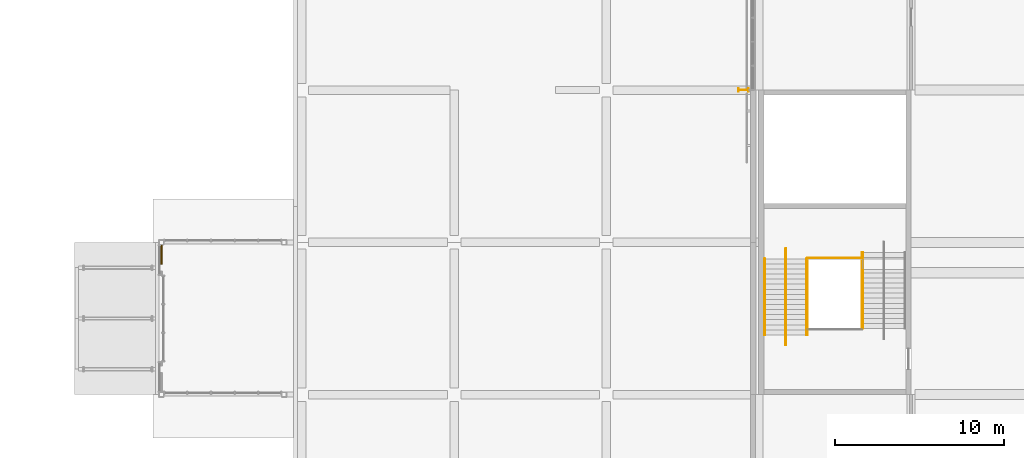
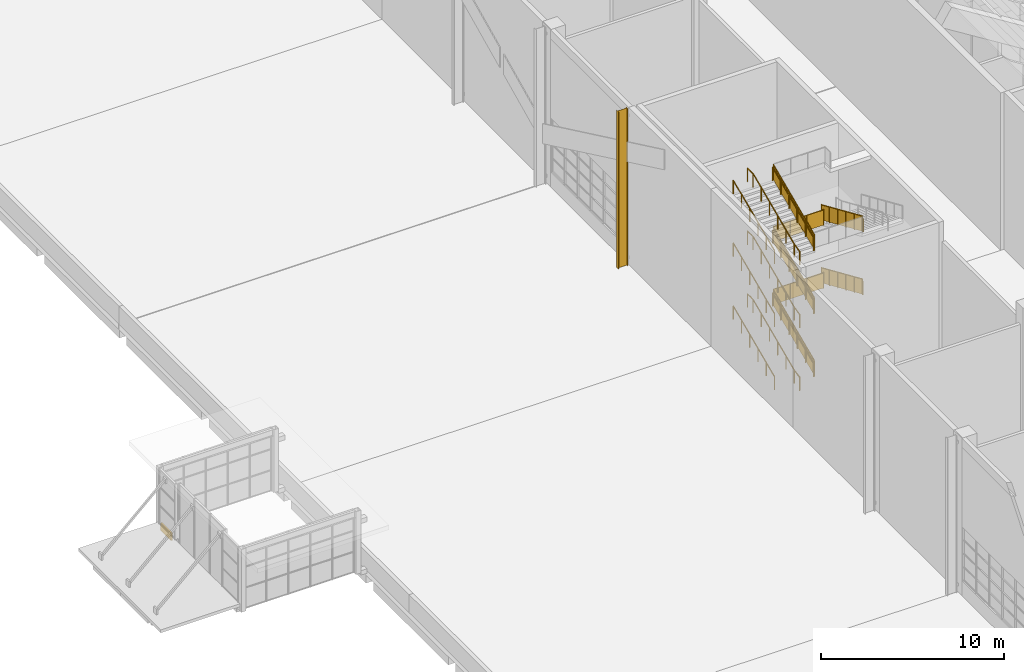
# One storey, part 147 of 182: 18 railings, 1 covering, 1 shading device.
"""IFC4 building model written with IfcOpenShell, lengths in metres."""

from ifc_helpers import new_model, si_unit, direction, frame, origin, origin_2d, place, context, subcontext, project, spatial, polyline, circle, i_section, outline, extrude, material, layer, layer_set, material_profile, profile_set, type_object, element, save


model = new_model("IFC4")

# Units and contexts
model_context = context("Model", 3, precision=1e-05, world=origin(), true_north=direction((0.0, 1.0)))
body_context = subcontext(model_context, "Body", "Model", "MODEL_VIEW")
ifc_project = project(units=[si_unit("LENGTHUNIT", "METRE"), si_unit("AREAUNIT", "SQUARE_METRE"), si_unit("VOLUMEUNIT", "CUBIC_METRE"), si_unit("PLANEANGLEUNIT", "RADIAN"), si_unit("MASSUNIT", "GRAM", prefix="KILO")], contexts=[model_context])

# Site, building, storey
site_placement = place(None, origin())
site = spatial("IfcSite", under=ifc_project, at=site_placement, CompositionType="ELEMENT")
building_placement = place(site_placement, origin())
building = spatial("IfcBuilding", under=site, at=building_placement, Name="Silverbay Arena", CompositionType="ELEMENT")
storey_placement = place(building_placement, frame((0.0, 0.0, 11.5)))
storey = spatial("IfcBuildingStorey", under=building, at=storey_placement, Name="L02", CompositionType="ELEMENT", Elevation=11.5)

# Covering
ifc_material_1 = material(Name="Aluminium composite cladding", Category="aluminium")
ifc_layer = layer(ifc_material_1, 0.10009765625)
ifc_layer_set = layer_set([ifc_layer], Name="Aluminium composite cladding")
covering_type = type_object("IfcCoveringType", Name="Canopy band cladding 100", PredefinedType="CLADDING", material=ifc_layer_set)
covering_placement = place(storey_placement, origin())
element("IfcCovering", 1, at=covering_placement, inside=storey, type_object=covering_type, Name="Canopy band cladding", PredefinedType="CLADDING", context=body_context, shape_type="SweptSolid", body=[
    extrude(outline(polyline([(18.64990234375, 61.699951171875), (18.75, 61.699951171875), (18.75, 62.85009765625), (18.64990234375, 62.85009765625), (18.64990234375, 61.699951171875)])), origin(), (0.0, 0.0, 1.0), 0.5),
])

# Railings
ifc_material_2 = material(Name="Stainless steel", Category="steel")
railing_type_1 = type_object("IfcRailingType", Name="Stair guard 1100", PredefinedType="GUARDRAIL", material=ifc_material_2)
railing_1_placement = place(storey_placement, frame((56.875, 57.52587890625, 0.13134765625)))
element("IfcRailing", 2, at=railing_1_placement, inside=storey, type_object=railing_type_1, Name="Stair ST-W1 L02 to L03 flight 1 guard left", PredefinedType="GUARDRAIL", context=body_context, shape_type="SweptSolid", body=[
    extrude(circle(Radius=0.02392578125, at=origin_2d()), frame((0.0, 0.0, 1.076171875), z_axis=(0.0, 0.916157334902, 0.40081883402), x_axis=(-1.0, 0.0, 0.0)), (0.0, 0.0, 1.0), 4.911865234375),
    extrude(outline(polyline([(-0.008056640625, 0.04638671875), (0.907958984375, 0.447265625), (0.907958984375, 1.4501953125), (-0.008056640625, 1.049560546875), (-0.008056640625, 0.04638671875)])), frame((-0.0029296875, 0.0, 0.0), z_axis=(1.0, 0.0, 0.0), x_axis=(0.0, 1.0, 0.0)), (0.0, 0.0, 1.0), 0.006103515625),
    extrude(outline(polyline([(-0.008056640625, 0.440185546875), (0.907958984375, 0.841064453125), (0.907958984375, 1.843994140625), (-0.008056640625, 1.443359375), (-0.008056640625, 0.440185546875)])), frame((-0.0029296875, 0.89990234375, 0.0), z_axis=(1.0, 0.0, 0.0), x_axis=(0.0, 1.0, 0.0)), (0.0, 0.0, 1.0), 0.006103515625),
    extrude(outline(polyline([(-0.008056640625, 0.833984375), (0.907958984375, 1.23486328125), (0.907958984375, 2.23779296875), (-0.008056640625, 1.8369140625), (-0.008056640625, 0.833984375)])), frame((-0.0029296875, 1.800048828125, 0.0), z_axis=(1.0, 0.0, 0.0), x_axis=(0.0, 1.0, 0.0)), (0.0, 0.0, 1.0), 0.006103515625),
    extrude(outline(polyline([(-0.008056640625, 1.227783203125), (0.907958984375, 1.62841796875), (0.907958984375, 2.631591796875), (-0.008056640625, 2.230712890625), (-0.008056640625, 1.227783203125)])), frame((-0.0029296875, 2.699951171875, 0.0), z_axis=(1.0, 0.0, 0.0), x_axis=(0.0, 1.0, 0.0)), (0.0, 0.0, 1.0), 0.006103515625),
    extrude(outline(polyline([(-0.008056640625, 1.62158203125), (0.907958984375, 2.022216796875), (0.907958984375, 3.025146484375), (-0.008056640625, 2.62451171875), (-0.008056640625, 1.62158203125)])), frame((-0.0029296875, 3.60009765625, 0.0), z_axis=(1.0, 0.0, 0.0), x_axis=(0.0, 1.0, 0.0)), (0.0, 0.0, 1.0), 0.006103515625),
    extrude(circle(Radius=0.02099609375, at=origin_2d()), origin(), (0.0, 0.0, 1.0), 1.052001953125),
    extrude(circle(Radius=0.02099609375, at=origin_2d()), frame((0.0, 0.89990234375, 0.393798828125)), (0.0, 0.0, 1.0), 1.052001953125),
    extrude(circle(Radius=0.02099609375, at=origin_2d()), frame((0.0, 1.800048828125, 0.78759765625)), (0.0, 0.0, 1.0), 1.052001953125),
    extrude(circle(Radius=0.02099609375, at=origin_2d()), frame((0.0, 2.699951171875, 1.18115234375)), (0.0, 0.0, 1.0), 1.052001953125),
    extrude(circle(Radius=0.02099609375, at=origin_2d()), frame((0.0, 3.60009765625, 1.574951171875)), (0.0, 0.0, 1.0), 1.052001953125),
    extrude(circle(Radius=0.02099609375, at=origin_2d()), frame((0.0, 4.5, 1.96875)), (0.0, 0.0, 1.0), 1.052001953125),
])
railing_2_placement = place(storey_placement, frame((60.125, 62.39990234375, 2.231201171875)))
element("IfcRailing", 3, at=railing_2_placement, inside=storey, type_object=railing_type_1, Name="Stair ST-W1 L02 to L03 flight 2 guard right", PredefinedType="GUARDRAIL", context=body_context, shape_type="SweptSolid", body=[
    extrude(circle(Radius=0.02392578125, at=origin_2d()), frame((0.0, 0.0, 1.076171875), z_axis=(0.0, -0.916157334902, 0.40081883402), x_axis=(1.0, 0.0, 0.0)), (0.0, 0.0, 1.0), 4.911865234375),
    extrude(outline(polyline([(-0.008056640625, 0.04638671875), (0.907958984375, 0.447265625), (0.907958984375, 1.4501953125), (-0.008056640625, 1.049560546875), (-0.008056640625, 0.04638671875)])), frame((0.0029296875, 0.0, 0.0), z_axis=(-1.0, 0.0, 0.0), x_axis=(0.0, -1.0, 0.0)), (0.0, 0.0, 1.0), 0.006103515625),
    extrude(outline(polyline([(-0.008056640625, 0.440185546875), (0.907958984375, 0.841064453125), (0.907958984375, 1.843994140625), (-0.008056640625, 1.443359375), (-0.008056640625, 0.440185546875)])), frame((0.0029296875, -0.89990234375, 0.0), z_axis=(-1.0, 0.0, 0.0), x_axis=(0.0, -1.0, 0.0)), (0.0, 0.0, 1.0), 0.006103515625),
    extrude(outline(polyline([(-0.008056640625, 0.833984375), (0.907958984375, 1.23486328125), (0.907958984375, 2.23779296875), (-0.008056640625, 1.8369140625), (-0.008056640625, 0.833984375)])), frame((0.0029296875, -1.800048828125, 0.0), z_axis=(-1.0, 0.0, 0.0), x_axis=(0.0, -1.0, 0.0)), (0.0, 0.0, 1.0), 0.006103515625),
    extrude(outline(polyline([(-0.008056640625, 1.227783203125), (0.907958984375, 1.62841796875), (0.907958984375, 2.631591796875), (-0.008056640625, 2.230712890625), (-0.008056640625, 1.227783203125)])), frame((0.0029296875, -2.699951171875, 0.0), z_axis=(-1.0, 0.0, 0.0), x_axis=(0.0, -1.0, 0.0)), (0.0, 0.0, 1.0), 0.006103515625),
    extrude(outline(polyline([(-0.008056640625, 1.62158203125), (0.907958984375, 2.022216796875), (0.907958984375, 3.025146484375), (-0.008056640625, 2.62451171875), (-0.008056640625, 1.62158203125)])), frame((0.0029296875, -3.60009765625, 0.0), z_axis=(-1.0, 0.0, 0.0), x_axis=(0.0, -1.0, 0.0)), (0.0, 0.0, 1.0), 0.006103515625),
    extrude(circle(Radius=0.02099609375, at=origin_2d()), origin(), (0.0, 0.0, 1.0), 1.052001953125),
    extrude(circle(Radius=0.02099609375, at=origin_2d()), frame((0.0, -0.89990234375, 0.393798828125)), (0.0, 0.0, 1.0), 1.052001953125),
    extrude(circle(Radius=0.02099609375, at=origin_2d()), frame((0.0, -1.800048828125, 0.78759765625)), (0.0, 0.0, 1.0), 1.052001953125),
    extrude(circle(Radius=0.02099609375, at=origin_2d()), frame((0.0, -2.699951171875, 1.18115234375)), (0.0, 0.0, 1.0), 1.052001953125),
    extrude(circle(Radius=0.02099609375, at=origin_2d()), frame((0.0, -3.60009765625, 1.574951171875)), (0.0, 0.0, 1.0), 1.052001953125),
    extrude(circle(Radius=0.02099609375, at=origin_2d()), frame((0.0, -4.5, 1.96875)), (0.0, 0.0, 1.0), 1.052001953125),
])
railing_3_placement = place(storey_placement, frame((56.875, 57.52587890625, 4.331298828125)))
element("IfcRailing", 4, at=railing_3_placement, inside=storey, type_object=railing_type_1, Name="Stair ST-W1 L02 to L03 flight 3 guard left", PredefinedType="GUARDRAIL", context=body_context, shape_type="SweptSolid", body=[
    extrude(circle(Radius=0.02392578125, at=origin_2d()), frame((0.0, 0.0, 1.076171875), z_axis=(0.0, 0.916157334902, 0.40081883402), x_axis=(-1.0, 0.0, 0.0)), (0.0, 0.0, 1.0), 4.911865234375),
    extrude(outline(polyline([(-0.008056640625, 0.04638671875), (0.907958984375, 0.447265625), (0.907958984375, 1.4501953125), (-0.008056640625, 1.049560546875), (-0.008056640625, 0.04638671875)])), frame((-0.0029296875, 0.0, 0.0), z_axis=(1.0, 0.0, 0.0), x_axis=(0.0, 1.0, 0.0)), (0.0, 0.0, 1.0), 0.006103515625),
    extrude(outline(polyline([(-0.008056640625, 0.440185546875), (0.907958984375, 0.841064453125), (0.907958984375, 1.843994140625), (-0.008056640625, 1.443359375), (-0.008056640625, 0.440185546875)])), frame((-0.0029296875, 0.89990234375, 0.0), z_axis=(1.0, 0.0, 0.0), x_axis=(0.0, 1.0, 0.0)), (0.0, 0.0, 1.0), 0.006103515625),
    extrude(outline(polyline([(-0.008056640625, 0.833984375), (0.907958984375, 1.23486328125), (0.907958984375, 2.23779296875), (-0.008056640625, 1.8369140625), (-0.008056640625, 0.833984375)])), frame((-0.0029296875, 1.800048828125, 0.0), z_axis=(1.0, 0.0, 0.0), x_axis=(0.0, 1.0, 0.0)), (0.0, 0.0, 1.0), 0.006103515625),
    extrude(outline(polyline([(-0.008056640625, 1.227783203125), (0.907958984375, 1.62841796875), (0.907958984375, 2.631591796875), (-0.008056640625, 2.230712890625), (-0.008056640625, 1.227783203125)])), frame((-0.0029296875, 2.699951171875, 0.0), z_axis=(1.0, 0.0, 0.0), x_axis=(0.0, 1.0, 0.0)), (0.0, 0.0, 1.0), 0.006103515625),
    extrude(outline(polyline([(-0.008056640625, 1.62158203125), (0.907958984375, 2.022216796875), (0.907958984375, 3.025146484375), (-0.008056640625, 2.62451171875), (-0.008056640625, 1.62158203125)])), frame((-0.0029296875, 3.60009765625, 0.0), z_axis=(1.0, 0.0, 0.0), x_axis=(0.0, 1.0, 0.0)), (0.0, 0.0, 1.0), 0.006103515625),
    extrude(circle(Radius=0.02099609375, at=origin_2d()), origin(), (0.0, 0.0, 1.0), 1.052001953125),
    extrude(circle(Radius=0.02099609375, at=origin_2d()), frame((0.0, 0.89990234375, 0.393798828125)), (0.0, 0.0, 1.0), 1.052001953125),
    extrude(circle(Radius=0.02099609375, at=origin_2d()), frame((0.0, 1.800048828125, 0.78759765625)), (0.0, 0.0, 1.0), 1.052001953125),
    extrude(circle(Radius=0.02099609375, at=origin_2d()), frame((0.0, 2.699951171875, 1.18115234375)), (0.0, 0.0, 1.0), 1.052001953125),
    extrude(circle(Radius=0.02099609375, at=origin_2d()), frame((0.0, 3.60009765625, 1.574951171875)), (0.0, 0.0, 1.0), 1.052001953125),
    extrude(circle(Radius=0.02099609375, at=origin_2d()), frame((0.0, 4.5, 1.96875)), (0.0, 0.0, 1.0), 1.052001953125),
])
railing_4_placement = place(storey_placement, frame((60.125, 62.39990234375, 6.43115234375)))
element("IfcRailing", 5, at=railing_4_placement, inside=storey, type_object=railing_type_1, Name="Stair ST-W1 L02 to L03 flight 4 guard right", PredefinedType="GUARDRAIL", context=body_context, shape_type="SweptSolid", body=[
    extrude(circle(Radius=0.02392578125, at=origin_2d()), frame((0.0, 0.0, 1.076171875), z_axis=(0.0, -0.916157334902, 0.40081883402), x_axis=(1.0, 0.0, 0.0)), (0.0, 0.0, 1.0), 4.911865234375),
    extrude(outline(polyline([(-0.008056640625, 0.04638671875), (0.907958984375, 0.447265625), (0.907958984375, 1.4501953125), (-0.008056640625, 1.049560546875), (-0.008056640625, 0.04638671875)])), frame((0.0029296875, 0.0, 0.0), z_axis=(-1.0, 0.0, 0.0), x_axis=(0.0, -1.0, 0.0)), (0.0, 0.0, 1.0), 0.006103515625),
    extrude(outline(polyline([(-0.008056640625, 0.440185546875), (0.907958984375, 0.841064453125), (0.907958984375, 1.843994140625), (-0.008056640625, 1.443359375), (-0.008056640625, 0.440185546875)])), frame((0.0029296875, -0.89990234375, 0.0), z_axis=(-1.0, 0.0, 0.0), x_axis=(0.0, -1.0, 0.0)), (0.0, 0.0, 1.0), 0.006103515625),
    extrude(outline(polyline([(-0.008056640625, 0.833984375), (0.907958984375, 1.23486328125), (0.907958984375, 2.23779296875), (-0.008056640625, 1.8369140625), (-0.008056640625, 0.833984375)])), frame((0.0029296875, -1.800048828125, 0.0), z_axis=(-1.0, 0.0, 0.0), x_axis=(0.0, -1.0, 0.0)), (0.0, 0.0, 1.0), 0.006103515625),
    extrude(outline(polyline([(-0.008056640625, 1.227783203125), (0.907958984375, 1.62841796875), (0.907958984375, 2.631591796875), (-0.008056640625, 2.230712890625), (-0.008056640625, 1.227783203125)])), frame((0.0029296875, -2.699951171875, 0.0), z_axis=(-1.0, 0.0, 0.0), x_axis=(0.0, -1.0, 0.0)), (0.0, 0.0, 1.0), 0.006103515625),
    extrude(outline(polyline([(-0.008056640625, 1.62158203125), (0.907958984375, 2.022216796875), (0.907958984375, 3.025146484375), (-0.008056640625, 2.62451171875), (-0.008056640625, 1.62158203125)])), frame((0.0029296875, -3.60009765625, 0.0), z_axis=(-1.0, 0.0, 0.0), x_axis=(0.0, -1.0, 0.0)), (0.0, 0.0, 1.0), 0.006103515625),
    extrude(circle(Radius=0.02099609375, at=origin_2d()), origin(), (0.0, 0.0, 1.0), 1.052001953125),
    extrude(circle(Radius=0.02099609375, at=origin_2d()), frame((0.0, -0.89990234375, 0.393798828125)), (0.0, 0.0, 1.0), 1.052001953125),
    extrude(circle(Radius=0.02099609375, at=origin_2d()), frame((0.0, -1.800048828125, 0.78759765625)), (0.0, 0.0, 1.0), 1.052001953125),
    extrude(circle(Radius=0.02099609375, at=origin_2d()), frame((0.0, -2.699951171875, 1.18115234375)), (0.0, 0.0, 1.0), 1.052001953125),
    extrude(circle(Radius=0.02099609375, at=origin_2d()), frame((0.0, -3.60009765625, 1.574951171875)), (0.0, 0.0, 1.0), 1.052001953125),
    extrude(circle(Radius=0.02099609375, at=origin_2d()), frame((0.0, -4.5, 1.96875)), (0.0, 0.0, 1.0), 1.052001953125),
])
railing_5_placement = place(storey_placement, frame((56.875, 57.52587890625, 8.53125)))
element("IfcRailing", 6, at=railing_5_placement, inside=storey, type_object=railing_type_1, Name="Stair ST-W1 L02 to L03 flight 5 guard left", PredefinedType="GUARDRAIL", context=body_context, shape_type="SweptSolid", body=[
    extrude(circle(Radius=0.02392578125, at=origin_2d()), frame((0.0, 0.0, 1.076171875), z_axis=(0.0, 0.916157334902, 0.40081883402), x_axis=(-1.0, 0.0, 0.0)), (0.0, 0.0, 1.0), 4.911865234375),
    extrude(outline(polyline([(-0.008056640625, 0.04638671875), (0.907958984375, 0.447265625), (0.907958984375, 1.4501953125), (-0.008056640625, 1.049560546875), (-0.008056640625, 0.04638671875)])), frame((-0.0029296875, 0.0, 0.0), z_axis=(1.0, 0.0, 0.0), x_axis=(0.0, 1.0, 0.0)), (0.0, 0.0, 1.0), 0.006103515625),
    extrude(outline(polyline([(-0.008056640625, 0.440185546875), (0.907958984375, 0.841064453125), (0.907958984375, 1.843994140625), (-0.008056640625, 1.443359375), (-0.008056640625, 0.440185546875)])), frame((-0.0029296875, 0.89990234375, 0.0), z_axis=(1.0, 0.0, 0.0), x_axis=(0.0, 1.0, 0.0)), (0.0, 0.0, 1.0), 0.006103515625),
    extrude(outline(polyline([(-0.008056640625, 0.833984375), (0.907958984375, 1.23486328125), (0.907958984375, 2.23779296875), (-0.008056640625, 1.8369140625), (-0.008056640625, 0.833984375)])), frame((-0.0029296875, 1.800048828125, 0.0), z_axis=(1.0, 0.0, 0.0), x_axis=(0.0, 1.0, 0.0)), (0.0, 0.0, 1.0), 0.006103515625),
    extrude(outline(polyline([(-0.008056640625, 1.227783203125), (0.907958984375, 1.62841796875), (0.907958984375, 2.631591796875), (-0.008056640625, 2.230712890625), (-0.008056640625, 1.227783203125)])), frame((-0.0029296875, 2.699951171875, 0.0), z_axis=(1.0, 0.0, 0.0), x_axis=(0.0, 1.0, 0.0)), (0.0, 0.0, 1.0), 0.006103515625),
    extrude(outline(polyline([(-0.008056640625, 1.62158203125), (0.907958984375, 2.022216796875), (0.907958984375, 3.025146484375), (-0.008056640625, 2.62451171875), (-0.008056640625, 1.62158203125)])), frame((-0.0029296875, 3.60009765625, 0.0), z_axis=(1.0, 0.0, 0.0), x_axis=(0.0, 1.0, 0.0)), (0.0, 0.0, 1.0), 0.006103515625),
    extrude(circle(Radius=0.02099609375, at=origin_2d()), origin(), (0.0, 0.0, 1.0), 1.052001953125),
    extrude(circle(Radius=0.02099609375, at=origin_2d()), frame((0.0, 0.89990234375, 0.393798828125)), (0.0, 0.0, 1.0), 1.052001953125),
    extrude(circle(Radius=0.02099609375, at=origin_2d()), frame((0.0, 1.800048828125, 0.78759765625)), (0.0, 0.0, 1.0), 1.052001953125),
    extrude(circle(Radius=0.02099609375, at=origin_2d()), frame((0.0, 2.699951171875, 1.18115234375)), (0.0, 0.0, 1.0), 1.052001953125),
    extrude(circle(Radius=0.02099609375, at=origin_2d()), frame((0.0, 3.60009765625, 1.574951171875)), (0.0, 0.0, 1.0), 1.052001953125),
    extrude(circle(Radius=0.02099609375, at=origin_2d()), frame((0.0, 4.5, 1.96875)), (0.0, 0.0, 1.0), 1.052001953125),
])
for number, where, name in (
    (7, (60.10009765625, 62.07568359375, 2.10009765625), "Stair ST-W1 L02 to L03 landing 1 guard"),
    (8, (60.10009765625, 62.07568359375, 6.300048828125), "Stair ST-W1 L02 to L03 landing 3 guard"),
):
    element("IfcRailing", number, at=place(storey_placement, frame(where)), inside=storey, type_object=railing_type_1, Name=name, PredefinedType="GUARDRAIL", context=body_context, shape_type="SweptSolid", body=[
        extrude(circle(Radius=0.02392578125, at=origin_2d()), frame((0.0, 0.0, 1.076171875), z_axis=(-1.0, 0.0, 0.0), x_axis=(0.0, -1.0, 0.0)), (0.0, 0.0, 1.0), 3.2001953125),
        extrude(outline(polyline([(-0.008056640625, 0.050048828125), (1.07470703125, 0.050048828125), (1.07470703125, 1.052978515625), (-0.008056640625, 1.052978515625), (-0.008056640625, 0.050048828125)])), frame((0.0, -0.0029296875, 0.0), z_axis=(0.0, 1.0, 0.0), x_axis=(-1.0, 0.0, 0.0)), (0.0, 0.0, 1.0), 0.006103515625),
        extrude(outline(polyline([(-0.008056640625, 0.050048828125), (1.07470703125, 0.050048828125), (1.07470703125, 1.052978515625), (-0.008056640625, 1.052978515625), (-0.008056640625, 0.050048828125)])), frame((-1.066650390625, -0.0029296875, 0.0), z_axis=(0.0, 1.0, 0.0), x_axis=(-1.0, 0.0, 0.0)), (0.0, 0.0, 1.0), 0.006103515625),
        extrude(outline(polyline([(-0.008056640625, 0.050048828125), (1.07470703125, 0.050048828125), (1.07470703125, 1.052978515625), (-0.008056640625, 1.052978515625), (-0.008056640625, 0.050048828125)])), frame((-2.133544921875, -0.0029296875, 0.0), z_axis=(0.0, 1.0, 0.0), x_axis=(-1.0, 0.0, 0.0)), (0.0, 0.0, 1.0), 0.006103515625),
        extrude(circle(Radius=0.02099609375, at=origin_2d()), origin(), (0.0, 0.0, 1.0), 1.052001953125),
        extrude(circle(Radius=0.02099609375, at=origin_2d()), frame((-1.066650390625, 0.0, 0.0)), (0.0, 0.0, 1.0), 1.052001953125),
        extrude(circle(Radius=0.02099609375, at=origin_2d()), frame((-2.133544921875, 0.0, 0.0)), (0.0, 0.0, 1.0), 1.052001953125),
        extrude(circle(Radius=0.02099609375, at=origin_2d()), frame((-3.2001953125, 0.0, 0.0)), (0.0, 0.0, 1.0), 1.052001953125),
    ])
ifc_material_3 = material(Name="Stainless steel", Category="steel")
railing_type_2 = type_object("IfcRailingType", Name="Stair handrail 900", PredefinedType="HANDRAIL", material=ifc_material_3)
for number, where, name in (
    (9, (56.8359375, 57.52587890625, 0.13134765625), "Stair ST-W1 L02 to L03 flight 1 handrail left"),
    (10, (54.35009765625, 57.52587890625, 0.13134765625), "Stair ST-W1 L02 to L03 flight 1 handrail right"),
):
    element("IfcRailing", number, at=place(storey_placement, frame(where)), inside=storey, type_object=railing_type_2, Name=name, PredefinedType="HANDRAIL", context=body_context, shape_type="SweptSolid", body=[
        extrude(circle(Radius=0.02392578125, at=origin_2d()), frame((0.0, 0.0, 0.8759765625), z_axis=(0.0, 0.916157334902, 0.40081883402), x_axis=(-1.0, 0.0, 0.0)), (0.0, 0.0, 1.0), 4.911865234375),
        extrude(circle(Radius=0.02099609375, at=origin_2d()), origin(), (0.0, 0.0, 1.0), 0.851806640625),
        extrude(circle(Radius=0.02099609375, at=origin_2d()), frame((0.0, 0.89990234375, 0.393798828125)), (0.0, 0.0, 1.0), 0.851806640625),
        extrude(circle(Radius=0.02099609375, at=origin_2d()), frame((0.0, 1.800048828125, 0.78759765625)), (0.0, 0.0, 1.0), 0.851806640625),
        extrude(circle(Radius=0.02099609375, at=origin_2d()), frame((0.0, 2.699951171875, 1.18115234375)), (0.0, 0.0, 1.0), 0.851806640625),
        extrude(circle(Radius=0.02099609375, at=origin_2d()), frame((0.0, 3.60009765625, 1.574951171875)), (0.0, 0.0, 1.0), 0.851806640625),
        extrude(circle(Radius=0.02099609375, at=origin_2d()), frame((0.0, 4.5, 1.96875)), (0.0, 0.0, 1.0), 0.851806640625),
    ])
railing_6_placement = place(storey_placement, frame((55.60009765625, 56.92578125, 0.0)))
element("IfcRailing", 11, at=railing_6_placement, inside=storey, type_object=railing_type_2, Name="Stair ST-W1 L02 to L03 flight 1 central handrail", PredefinedType="HANDRAIL", context=body_context, shape_type="SweptSolid", body=[
    extrude(circle(Radius=0.02392578125, at=origin_2d()), frame((0.0, 0.0, 0.8759765625), z_axis=(0.0, 0.976874083041, 0.213815401414), x_axis=(-1.0, 0.0, 0.0)), (0.0, 0.0, 1.0), 0.6142578125),
    extrude(circle(Radius=0.02392578125, at=origin_2d()), frame((0.0, 0.60009765625, 1.00732421875), z_axis=(0.0, 0.916157334902, 0.40081883402), x_axis=(-1.0, 0.0, 0.0)), (0.0, 0.0, 1.0), 4.911865234375),
    extrude(circle(Radius=0.02392578125, at=origin_2d()), frame((0.0, 5.10009765625, 2.97607421875), z_axis=(0.0, 1.0, 0.0), x_axis=(-1.0, 0.0, 0.0)), (0.0, 0.0, 1.0), 0.599853515625),
    extrude(circle(Radius=0.02099609375, at=origin_2d()), origin(), (0.0, 0.0, 1.0), 0.851806640625),
    extrude(circle(Radius=0.02099609375, at=origin_2d()), frame((0.0, 0.60009765625, 0.13134765625)), (0.0, 0.0, 1.0), 0.851806640625),
    extrude(circle(Radius=0.02099609375, at=origin_2d()), frame((0.0, 1.5, 0.525146484375)), (0.0, 0.0, 1.0), 0.851806640625),
    extrude(circle(Radius=0.02099609375, at=origin_2d()), frame((0.0, 2.400146484375, 0.9189453125)), (0.0, 0.0, 1.0), 0.851806640625),
    extrude(circle(Radius=0.02099609375, at=origin_2d()), frame((0.0, 3.300048828125, 1.3125)), (0.0, 0.0, 1.0), 0.851806640625),
    extrude(circle(Radius=0.02099609375, at=origin_2d()), frame((0.0, 4.2001953125, 1.706298828125)), (0.0, 0.0, 1.0), 0.851806640625),
    extrude(circle(Radius=0.02099609375, at=origin_2d()), frame((0.0, 5.10009765625, 2.10009765625)), (0.0, 0.0, 1.0), 0.851806640625),
    extrude(circle(Radius=0.02099609375, at=origin_2d()), frame((0.0, 5.699951171875, 2.10009765625)), (0.0, 0.0, 1.0), 0.851806640625),
])
railing_7_placement = place(storey_placement, frame((60.1640625, 62.39990234375, 2.231201171875)))
element("IfcRailing", 12, at=railing_7_placement, inside=storey, type_object=railing_type_2, Name="Stair ST-W1 L02 to L03 flight 2 handrail right", PredefinedType="HANDRAIL", context=body_context, shape_type="SweptSolid", body=[
    extrude(circle(Radius=0.02392578125, at=origin_2d()), frame((0.0, 0.0, 0.8759765625), z_axis=(0.0, -0.916157334902, 0.40081883402), x_axis=(1.0, 0.0, 0.0)), (0.0, 0.0, 1.0), 4.911865234375),
    extrude(circle(Radius=0.02099609375, at=origin_2d()), origin(), (0.0, 0.0, 1.0), 0.851806640625),
    extrude(circle(Radius=0.02099609375, at=origin_2d()), frame((0.0, -0.89990234375, 0.393798828125)), (0.0, 0.0, 1.0), 0.851806640625),
    extrude(circle(Radius=0.02099609375, at=origin_2d()), frame((0.0, -1.800048828125, 0.78759765625)), (0.0, 0.0, 1.0), 0.851806640625),
    extrude(circle(Radius=0.02099609375, at=origin_2d()), frame((0.0, -2.699951171875, 1.18115234375)), (0.0, 0.0, 1.0), 0.851806640625),
    extrude(circle(Radius=0.02099609375, at=origin_2d()), frame((0.0, -3.60009765625, 1.574951171875)), (0.0, 0.0, 1.0), 0.851806640625),
    extrude(circle(Radius=0.02099609375, at=origin_2d()), frame((0.0, -4.5, 1.96875)), (0.0, 0.0, 1.0), 0.851806640625),
])
for number, where, name in (
    (13, (56.8359375, 57.52587890625, 4.331298828125), "Stair ST-W1 L02 to L03 flight 3 handrail left"),
    (14, (54.35009765625, 57.52587890625, 4.331298828125), "Stair ST-W1 L02 to L03 flight 3 handrail right"),
):
    element("IfcRailing", number, at=place(storey_placement, frame(where)), inside=storey, type_object=railing_type_2, Name=name, PredefinedType="HANDRAIL", context=body_context, shape_type="SweptSolid", body=[
        extrude(circle(Radius=0.02392578125, at=origin_2d()), frame((0.0, 0.0, 0.8759765625), z_axis=(0.0, 0.916157334902, 0.40081883402), x_axis=(-1.0, 0.0, 0.0)), (0.0, 0.0, 1.0), 4.911865234375),
        extrude(circle(Radius=0.02099609375, at=origin_2d()), origin(), (0.0, 0.0, 1.0), 0.851806640625),
        extrude(circle(Radius=0.02099609375, at=origin_2d()), frame((0.0, 0.89990234375, 0.393798828125)), (0.0, 0.0, 1.0), 0.851806640625),
        extrude(circle(Radius=0.02099609375, at=origin_2d()), frame((0.0, 1.800048828125, 0.78759765625)), (0.0, 0.0, 1.0), 0.851806640625),
        extrude(circle(Radius=0.02099609375, at=origin_2d()), frame((0.0, 2.699951171875, 1.18115234375)), (0.0, 0.0, 1.0), 0.851806640625),
        extrude(circle(Radius=0.02099609375, at=origin_2d()), frame((0.0, 3.60009765625, 1.574951171875)), (0.0, 0.0, 1.0), 0.851806640625),
        extrude(circle(Radius=0.02099609375, at=origin_2d()), frame((0.0, 4.5, 1.96875)), (0.0, 0.0, 1.0), 0.851806640625),
    ])
railing_8_placement = place(storey_placement, frame((55.60009765625, 56.92578125, 4.199951171875)))
element("IfcRailing", 15, at=railing_8_placement, inside=storey, type_object=railing_type_2, Name="Stair ST-W1 L02 to L03 flight 3 central handrail", PredefinedType="HANDRAIL", context=body_context, shape_type="SweptSolid", body=[
    extrude(circle(Radius=0.02392578125, at=origin_2d()), frame((0.0, 0.0, 0.8759765625), z_axis=(0.0, 0.976874083041, 0.213815401414), x_axis=(-1.0, 0.0, 0.0)), (0.0, 0.0, 1.0), 0.6142578125),
    extrude(circle(Radius=0.02392578125, at=origin_2d()), frame((0.0, 0.60009765625, 1.00732421875), z_axis=(0.0, 0.916157334902, 0.40081883402), x_axis=(-1.0, 0.0, 0.0)), (0.0, 0.0, 1.0), 4.911865234375),
    extrude(circle(Radius=0.02392578125, at=origin_2d()), frame((0.0, 5.10009765625, 2.97607421875), z_axis=(0.0, 1.0, 0.0), x_axis=(-1.0, 0.0, 0.0)), (0.0, 0.0, 1.0), 0.599853515625),
    extrude(circle(Radius=0.02099609375, at=origin_2d()), origin(), (0.0, 0.0, 1.0), 0.851806640625),
    extrude(circle(Radius=0.02099609375, at=origin_2d()), frame((0.0, 0.60009765625, 0.13134765625)), (0.0, 0.0, 1.0), 0.851806640625),
    extrude(circle(Radius=0.02099609375, at=origin_2d()), frame((0.0, 1.5, 0.525146484375)), (0.0, 0.0, 1.0), 0.851806640625),
    extrude(circle(Radius=0.02099609375, at=origin_2d()), frame((0.0, 2.400146484375, 0.9189453125)), (0.0, 0.0, 1.0), 0.851806640625),
    extrude(circle(Radius=0.02099609375, at=origin_2d()), frame((0.0, 3.300048828125, 1.3125)), (0.0, 0.0, 1.0), 0.851806640625),
    extrude(circle(Radius=0.02099609375, at=origin_2d()), frame((0.0, 4.2001953125, 1.706298828125)), (0.0, 0.0, 1.0), 0.851806640625),
    extrude(circle(Radius=0.02099609375, at=origin_2d()), frame((0.0, 5.10009765625, 2.10009765625)), (0.0, 0.0, 1.0), 0.851806640625),
    extrude(circle(Radius=0.02099609375, at=origin_2d()), frame((0.0, 5.699951171875, 2.10009765625)), (0.0, 0.0, 1.0), 0.851806640625),
])
railing_9_placement = place(storey_placement, frame((60.1640625, 62.39990234375, 6.43115234375)))
element("IfcRailing", 16, at=railing_9_placement, inside=storey, type_object=railing_type_2, Name="Stair ST-W1 L02 to L03 flight 4 handrail right", PredefinedType="HANDRAIL", context=body_context, shape_type="SweptSolid", body=[
    extrude(circle(Radius=0.02392578125, at=origin_2d()), frame((0.0, 0.0, 0.8759765625), z_axis=(0.0, -0.916157334902, 0.40081883402), x_axis=(1.0, 0.0, 0.0)), (0.0, 0.0, 1.0), 4.911865234375),
    extrude(circle(Radius=0.02099609375, at=origin_2d()), origin(), (0.0, 0.0, 1.0), 0.851806640625),
    extrude(circle(Radius=0.02099609375, at=origin_2d()), frame((0.0, -0.89990234375, 0.393798828125)), (0.0, 0.0, 1.0), 0.851806640625),
    extrude(circle(Radius=0.02099609375, at=origin_2d()), frame((0.0, -1.800048828125, 0.78759765625)), (0.0, 0.0, 1.0), 0.851806640625),
    extrude(circle(Radius=0.02099609375, at=origin_2d()), frame((0.0, -2.699951171875, 1.18115234375)), (0.0, 0.0, 1.0), 0.851806640625),
    extrude(circle(Radius=0.02099609375, at=origin_2d()), frame((0.0, -3.60009765625, 1.574951171875)), (0.0, 0.0, 1.0), 0.851806640625),
    extrude(circle(Radius=0.02099609375, at=origin_2d()), frame((0.0, -4.5, 1.96875)), (0.0, 0.0, 1.0), 0.851806640625),
])
for number, where, name in (
    (17, (56.8359375, 57.52587890625, 8.53125), "Stair ST-W1 L02 to L03 flight 5 handrail left"),
    (18, (54.35009765625, 57.52587890625, 8.53125), "Stair ST-W1 L02 to L03 flight 5 handrail right"),
):
    element("IfcRailing", number, at=place(storey_placement, frame(where)), inside=storey, type_object=railing_type_2, Name=name, PredefinedType="HANDRAIL", context=body_context, shape_type="SweptSolid", body=[
        extrude(circle(Radius=0.02392578125, at=origin_2d()), frame((0.0, 0.0, 0.8759765625), z_axis=(0.0, 0.916157334902, 0.40081883402), x_axis=(-1.0, 0.0, 0.0)), (0.0, 0.0, 1.0), 4.911865234375),
        extrude(circle(Radius=0.02099609375, at=origin_2d()), origin(), (0.0, 0.0, 1.0), 0.851806640625),
        extrude(circle(Radius=0.02099609375, at=origin_2d()), frame((0.0, 0.89990234375, 0.393798828125)), (0.0, 0.0, 1.0), 0.851806640625),
        extrude(circle(Radius=0.02099609375, at=origin_2d()), frame((0.0, 1.800048828125, 0.78759765625)), (0.0, 0.0, 1.0), 0.851806640625),
        extrude(circle(Radius=0.02099609375, at=origin_2d()), frame((0.0, 2.699951171875, 1.18115234375)), (0.0, 0.0, 1.0), 0.851806640625),
        extrude(circle(Radius=0.02099609375, at=origin_2d()), frame((0.0, 3.60009765625, 1.574951171875)), (0.0, 0.0, 1.0), 0.851806640625),
        extrude(circle(Radius=0.02099609375, at=origin_2d()), frame((0.0, 4.5, 1.96875)), (0.0, 0.0, 1.0), 0.851806640625),
    ])
railing_10_placement = place(storey_placement, frame((55.60009765625, 56.92578125, 8.39990234375)))
element("IfcRailing", 19, at=railing_10_placement, inside=storey, type_object=railing_type_2, Name="Stair ST-W1 L02 to L03 flight 5 central handrail", PredefinedType="HANDRAIL", context=body_context, shape_type="SweptSolid", body=[
    extrude(circle(Radius=0.02392578125, at=origin_2d()), frame((0.0, 0.0, 0.8759765625), z_axis=(0.0, 0.976874083041, 0.213815401414), x_axis=(-1.0, 0.0, 0.0)), (0.0, 0.0, 1.0), 0.6142578125),
    extrude(circle(Radius=0.02392578125, at=origin_2d()), frame((0.0, 0.60009765625, 1.00732421875), z_axis=(0.0, 0.916157334902, 0.40081883402), x_axis=(-1.0, 0.0, 0.0)), (0.0, 0.0, 1.0), 4.911865234375),
    extrude(circle(Radius=0.02392578125, at=origin_2d()), frame((0.0, 5.10009765625, 2.97607421875), z_axis=(0.0, 1.0, 0.0), x_axis=(-1.0, 0.0, 0.0)), (0.0, 0.0, 1.0), 0.599853515625),
    extrude(circle(Radius=0.02099609375, at=origin_2d()), origin(), (0.0, 0.0, 1.0), 0.851806640625),
    extrude(circle(Radius=0.02099609375, at=origin_2d()), frame((0.0, 0.60009765625, 0.13134765625)), (0.0, 0.0, 1.0), 0.851806640625),
    extrude(circle(Radius=0.02099609375, at=origin_2d()), frame((0.0, 1.5, 0.525146484375)), (0.0, 0.0, 1.0), 0.851806640625),
    extrude(circle(Radius=0.02099609375, at=origin_2d()), frame((0.0, 2.400146484375, 0.9189453125)), (0.0, 0.0, 1.0), 0.851806640625),
    extrude(circle(Radius=0.02099609375, at=origin_2d()), frame((0.0, 3.300048828125, 1.3125)), (0.0, 0.0, 1.0), 0.851806640625),
    extrude(circle(Radius=0.02099609375, at=origin_2d()), frame((0.0, 4.2001953125, 1.706298828125)), (0.0, 0.0, 1.0), 0.851806640625),
    extrude(circle(Radius=0.02099609375, at=origin_2d()), frame((0.0, 5.10009765625, 2.10009765625)), (0.0, 0.0, 1.0), 0.851806640625),
    extrude(circle(Radius=0.02099609375, at=origin_2d()), frame((0.0, 5.699951171875, 2.10009765625)), (0.0, 0.0, 1.0), 0.851806640625),
])

# Shading device
ifc_material_4 = material(Name="Steel S355", Category="steel")
ifc_material_profile = material_profile(ifc_material_4, i_section(OverallWidth=0.2275390625, OverallDepth=0.6025390625, WebThickness=0.010498046875, FlangeThickness=0.014892578125, at=origin_2d()), Name="UB 610x229x101")
ifc_profile_set = profile_set([ifc_material_profile], Name="Steel S355")
shading_device_type = type_object("IfcShadingDeviceType", Name="Steel fin UB 610x229x101", PredefinedType="USERDEFINED", material=ifc_profile_set)
shading_device_placement = place(storey_placement, frame((53.0986328125, 72.0, 0.0), z_axis=(0.0, 0.0, 1.0), x_axis=(0.0, 1.0, 0.0)))
element("IfcShadingDevice", 20, at=shading_device_placement, inside=storey, type_object=shading_device_type, Name="Steel fin W L02 12", ObjectType="FIN", PredefinedType="USERDEFINED", context=body_context, shape_type="SweptSolid", body=[
    extrude(i_section(OverallWidth=0.2275390625, OverallDepth=0.6025390625, WebThickness=0.010498046875, FlangeThickness=0.014892578125, at=origin_2d()), origin(), (0.0, 0.0, 1.0), 10.5),
])

save(model, "model.ifc")
